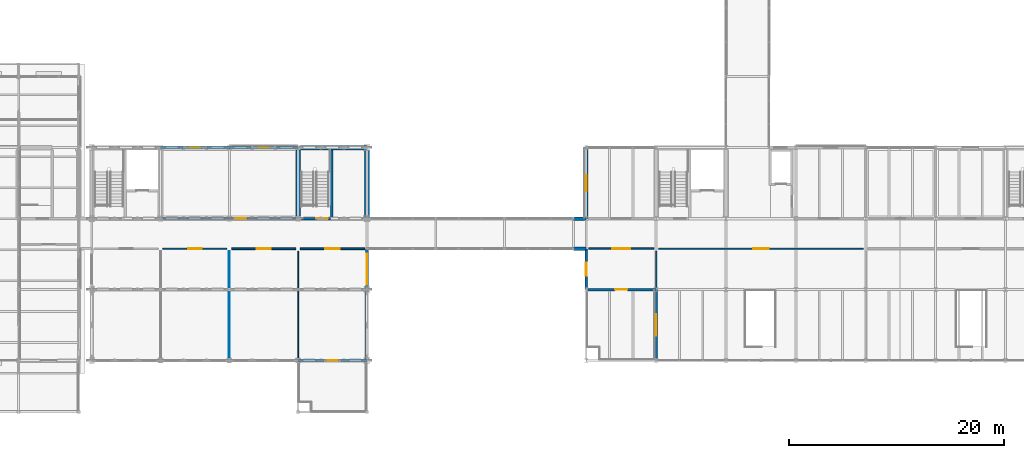
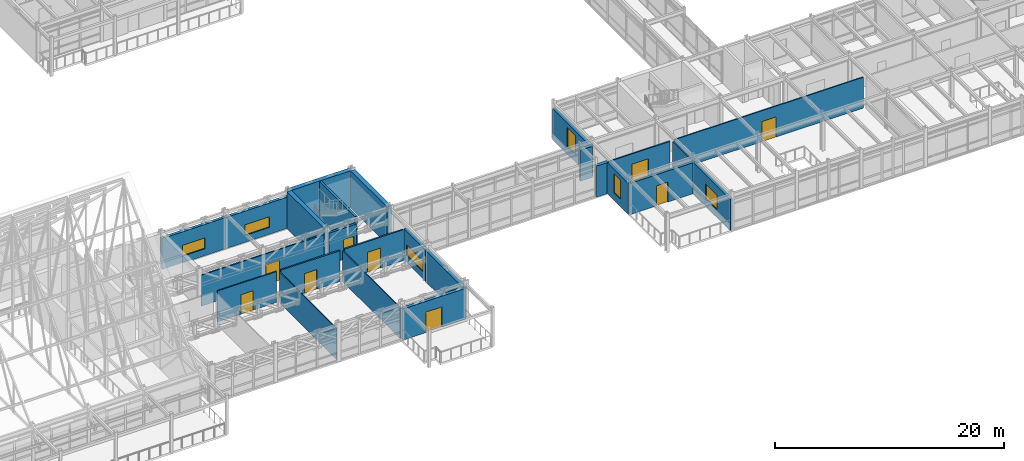
# One storey, part 130 of 144: 25 walls, 9 doors, 6 windows, 15 openings.
"""IFC4 building model written with IfcOpenShell, lengths in metres."""

from ifc_helpers import new_model, si_unit, direction, frame, frame_2d, origin, place, context, subcontext, project, spatial, rectangle, extrude, material, layer, layer_set, type_object, element, fill, save


model = new_model("IFC4")

# Units and contexts
model_context = context("Model", 3, precision=1e-05, world=origin(), true_north=direction((0.0, 1.0)))
body_context = subcontext(model_context, "Body", "Model", "MODEL_VIEW")
ifc_project = project(units=[si_unit("LENGTHUNIT", "METRE"), si_unit("AREAUNIT", "SQUARE_METRE"), si_unit("VOLUMEUNIT", "CUBIC_METRE"), si_unit("PLANEANGLEUNIT", "RADIAN"), si_unit("MASSUNIT", "GRAM", prefix="KILO")], contexts=[model_context])

# Site, building, storey
site_placement = place(None, origin())
site = spatial("IfcSite", under=ifc_project, at=site_placement, CompositionType="ELEMENT")
building_placement = place(site_placement, origin())
building = spatial("IfcBuilding", under=site, at=building_placement, Name="Trelmorton Wharf Fire Station", CompositionType="ELEMENT")
storey_placement = place(building_placement, frame((0.0, 0.0, 5.39990234375)))
storey = spatial("IfcBuildingStorey", under=building, at=storey_placement, Name="L01", CompositionType="ELEMENT", Elevation=5.39990234375)

# Wall, opening, door
ifc_material_1 = material(Name="Precast concrete 45 MPa", Category="concrete")
ifc_layer_1 = layer(ifc_material_1, 0.22998046875)
ifc_layer_set_1 = layer_set([ifc_layer_1], Name="Precast concrete 45 MPa")
wall_type_1 = type_object("IfcWallType", Name="EW_PREC_230", PredefinedType="SOLIDWALL", material=ifc_layer_set_1)
wall_1_placement = place(storey_placement, frame((110.4951171875, 14.39990234375, 0.0), z_axis=(0.0, 0.0, 1.0), x_axis=(-1.0, 0.0, 0.0)))
wall_1 = element("IfcWall", 1, at=wall_1_placement, inside=storey, type_object=wall_type_1, Name="EW-V5-L01-0078", PredefinedType="SOLIDWALL", context=body_context, shape_type="SweptSolid", body=[
    extrude(rectangle(XDim=6.490234375, YDim=0.22998046875, at=frame_2d((3.2451171875, 0.0))), origin(), (0.0, 0.0, 1.0), 3.320068359375),
])
opening_1_placement = place(wall_1_placement, frame((2.675048828125, 0.0, 0.0)))
opening_1 = element("IfcOpeningElement", 2, at=opening_1_placement, cuts=wall_1, Name="Opening TD-015", PredefinedType="OPENING", context=body_context, shape_type="SweptSolid", body=[
    extrude(rectangle(XDim=1.139892578125, YDim=2.139892578125, at=frame_2d((0.56982421875, 1.06982421875))), frame((0.0, 0.125, 0.0), z_axis=(0.0, -1.0, 0.0), x_axis=(1.0, 0.0, 0.0)), (0.0, 0.0, 1.0), 0.25),
])
ifc_material_2 = material(Name="Anodised aluminium AW-6063", Category="aluminium")
door_type_1 = type_object("IfcDoorType", Name="DR_TER_SGL_114", OperationType="NOTDEFINED", PredefinedType="DOOR", material=ifc_material_2)
door_1_placement = place(opening_1_placement, origin())
door_1 = element("IfcDoor", 3, at=door_1_placement, inside=storey, type_object=door_type_1, Name="Terrace Door TD-015", OperationType="SINGLE_SWING_LEFT", OverallHeight=2.139892578125, OverallWidth=1.139892578125, PredefinedType="DOOR", context=body_context, shape_type="SweptSolid", body=[
    extrude(rectangle(XDim=1.139892578125, YDim=2.139892578125, at=frame_2d((0.56982421875, 1.06982421875))), frame((0.0, 0.02490234375, 0.0), z_axis=(0.0, -1.0, 0.0), x_axis=(1.0, 0.0, 0.0)), (0.0, 0.0, 1.0), 0.050048828125),
])
fill(opening_1, door_1)

# Wall, opening, window
ifc_layer_2 = layer(ifc_material_1, 0.25)
ifc_layer_set_2 = layer_set([ifc_layer_2], Name="Precast concrete 45 MPa")
wall_type_2 = type_object("IfcWallType", Name="EW_PREC_250", PredefinedType="SOLIDWALL", material=ifc_layer_set_2)
wall_2_placement = place(storey_placement, frame((110.5, 7.804931640625, 0.0), z_axis=(0.0, 0.0, 1.0), x_axis=(0.0, 1.0, 0.0)))
wall_2 = element("IfcWall", 4, at=wall_2_placement, inside=storey, type_object=wall_type_2, Name="EW-V5-L01-0079", PredefinedType="SOLIDWALL", context=body_context, shape_type="SweptSolid", body=[
    extrude(rectangle(XDim=6.590087890625, YDim=0.25, at=frame_2d((3.294921875, 0.0))), origin(), (0.0, 0.0, 1.0), 3.320068359375),
])
opening_2_placement = place(wall_2_placement, frame((2.294921875, 0.0, 0.800048828125)))
opening_2 = element("IfcOpeningElement", 5, at=opening_2_placement, cuts=wall_2, Name="Opening W42", PredefinedType="OPENING", context=body_context, shape_type="SweptSolid", body=[
    extrude(rectangle(XDim=2.0, YDim=1.550048828125, at=frame_2d((1.0, 0.77490234375))), frame((0.0, 0.135009765625, 0.0), z_axis=(0.0, -1.0, 0.0), x_axis=(1.0, 0.0, 0.0)), (0.0, 0.0, 1.0), 0.27001953125),
])
ifc_material_3 = material(Name="Tempered low-E double glazing", Category="glass")
window_type_1 = type_object("IfcWindowType", Name="WIN_W42", PartitioningType="DOUBLE_PANEL_VERTICAL", PredefinedType="WINDOW", material=ifc_material_3)
window_1_placement = place(opening_2_placement, origin())
window_1 = element("IfcWindow", 6, at=window_1_placement, inside=storey, type_object=window_type_1, Name="WN-V5-L01-0031", OverallHeight=1.550048828125, OverallWidth=2.0, PartitioningType="DOUBLE_PANEL_VERTICAL", PredefinedType="WINDOW", context=body_context, shape_type="SweptSolid", body=[
    extrude(rectangle(XDim=2.0, YDim=1.550048828125, at=frame_2d((1.0, 0.77490234375))), frame((0.0, 0.030029296875, 0.0), z_axis=(0.0, -1.0, 0.0), x_axis=(1.0, 0.0, 0.0)), (0.0, 0.0, 1.0), 0.06005859375),
])
fill(opening_2, window_1)

wall_3_placement = place(storey_placement, frame((104.0, 14.405029296875, 0.0), z_axis=(0.0, 0.0, 1.0), x_axis=(0.0, 1.0, 0.0)))
wall_3 = element("IfcWall", 7, at=wall_3_placement, inside=storey, type_object=wall_type_2, Name="EW-V5-L01-0085", PredefinedType="SOLIDWALL", context=body_context, shape_type="SweptSolid", body=[
    extrude(rectangle(XDim=3.7900390625, YDim=0.25, at=frame_2d((1.89501953125, 0.0))), origin(), (0.0, 0.0, 1.0), 3.320068359375),
])
opening_3_placement = place(wall_3_placement, frame((1.294921875, 0.0, 0.800048828125)))
opening_3 = element("IfcOpeningElement", 8, at=opening_3_placement, cuts=wall_3, Name="Opening W21", PredefinedType="OPENING", context=body_context, shape_type="SweptSolid", body=[
    extrude(rectangle(XDim=1.199951171875, YDim=2.050048828125, at=frame_2d((0.60009765625, 1.02490234375))), frame((0.0, 0.135009765625, 0.0), z_axis=(0.0, -1.0, 0.0), x_axis=(1.0, 0.0, 0.0)), (0.0, 0.0, 1.0), 0.27001953125),
])
window_type_2 = type_object("IfcWindowType", Name="WIN_W21", PartitioningType="SINGLE_PANEL", PredefinedType="WINDOW", material=ifc_material_3)
window_2_placement = place(opening_3_placement, origin())
window_2 = element("IfcWindow", 9, at=window_2_placement, inside=storey, type_object=window_type_2, Name="WN-V5-L01-0036", OverallHeight=2.050048828125, OverallWidth=1.199951171875, PartitioningType="SINGLE_PANEL", PredefinedType="WINDOW", context=body_context, shape_type="SweptSolid", body=[
    extrude(rectangle(XDim=1.199951171875, YDim=2.050048828125, at=frame_2d((0.60009765625, 1.02490234375))), frame((0.0, 0.030029296875, 0.0), z_axis=(0.0, -1.0, 0.0), x_axis=(1.0, 0.0, 0.0)), (0.0, 0.0, 1.0), 0.06005859375),
])
fill(opening_3, window_2)

ifc_layer_3 = layer(ifc_material_1, 0.27001953125)
ifc_layer_set_3 = layer_set([ifc_layer_3], Name="Precast concrete 45 MPa")
wall_type_3 = type_object("IfcWallType", Name="EW_PREC_270", PredefinedType="SOLIDWALL", material=ifc_layer_set_3)
wall_4_placement = place(storey_placement, frame((64.405029296875, 27.60009765625, 0.0), z_axis=(0.0, 0.0, 1.0), x_axis=(1.0, 0.0, 0.0)))
wall_4 = element("IfcWall", 10, at=wall_4_placement, inside=storey, type_object=wall_type_3, Name="EW-V3-L01-0044", PredefinedType="SOLIDWALL", context=body_context, shape_type="SweptSolid", body=[
    extrude(rectangle(XDim=6.389892578125, YDim=0.27001953125, at=frame_2d((3.19482421875, 0.0))), origin(), (0.0, 0.0, 1.0), 3.320068359375),
])
opening_4_placement = place(wall_4_placement, frame((2.044921875, 0.0, 0.719970703125)))
opening_4 = element("IfcOpeningElement", 11, at=opening_4_placement, cuts=wall_4, Name="Opening W25", PredefinedType="OPENING", context=body_context, shape_type="SweptSolid", body=[
    extrude(rectangle(XDim=2.300048828125, YDim=1.14990234375, at=frame_2d((1.14990234375, 0.574951171875))), frame((0.0, 0.14501953125, 0.0), z_axis=(0.0, -1.0, 0.0), x_axis=(1.0, 0.0, 0.0)), (0.0, 0.0, 1.0), 0.2900390625),
])
window_type_3 = type_object("IfcWindowType", Name="WIN_W25", PartitioningType="DOUBLE_PANEL_VERTICAL", PredefinedType="WINDOW", material=ifc_material_3)
window_3_placement = place(opening_4_placement, origin())
window_3 = element("IfcWindow", 12, at=window_3_placement, inside=storey, type_object=window_type_3, Name="WN-V3-L01-0014", OverallHeight=1.14990234375, OverallWidth=2.300048828125, PartitioningType="DOUBLE_PANEL_VERTICAL", PredefinedType="WINDOW", context=body_context, shape_type="SweptSolid", body=[
    extrude(rectangle(XDim=2.300048828125, YDim=1.14990234375, at=frame_2d((1.14990234375, 0.574951171875))), frame((0.0, 0.030029296875, 0.0), z_axis=(0.0, -1.0, 0.0), x_axis=(1.0, 0.0, 0.0)), (0.0, 0.0, 1.0), 0.06005859375),
])
fill(opening_4, window_3)

wall_5_placement = place(storey_placement, frame((83.60009765625, 18.195068359375, 0.0), z_axis=(0.0, 0.0, 1.0), x_axis=(0.0, -1.0, 0.0)))
wall_5 = element("IfcWall", 13, at=wall_5_placement, inside=storey, type_object=wall_type_3, Name="EW-V3-L01-0050", PredefinedType="SOLIDWALL", context=body_context, shape_type="SweptSolid", body=[
    extrude(rectangle(XDim=3.7900390625, YDim=0.27001953125, at=frame_2d((1.89501953125, 0.0))), origin(), (0.0, 0.0, 1.0), 3.320068359375),
])
opening_5_placement = place(wall_5_placement, frame((0.445068359375, 0.0, 0.719970703125)))
opening_5 = element("IfcOpeningElement", 14, at=opening_5_placement, cuts=wall_5, Name="Opening W28", PredefinedType="OPENING", context=body_context, shape_type="SweptSolid", body=[
    extrude(rectangle(XDim=2.89990234375, YDim=1.14990234375, at=frame_2d((1.449951171875, 0.574951171875))), frame((0.0, 0.14501953125, 0.0), z_axis=(0.0, -1.0, 0.0), x_axis=(1.0, 0.0, 0.0)), (0.0, 0.0, 1.0), 0.2900390625),
])
window_type_4 = type_object("IfcWindowType", Name="WIN_W28", PartitioningType="TRIPLE_PANEL_VERTICAL", PredefinedType="WINDOW", material=ifc_material_3)
window_4_placement = place(opening_5_placement, origin())
window_4 = element("IfcWindow", 15, at=window_4_placement, inside=storey, type_object=window_type_4, Name="WN-V3-L01-0017", OverallHeight=1.14990234375, OverallWidth=2.89990234375, PartitioningType="TRIPLE_PANEL_VERTICAL", PredefinedType="WINDOW", context=body_context, shape_type="SweptSolid", body=[
    extrude(rectangle(XDim=2.89990234375, YDim=1.14990234375, at=frame_2d((1.449951171875, 0.574951171875))), frame((0.0, 0.030029296875, 0.0), z_axis=(0.0, -1.0, 0.0), x_axis=(1.0, 0.0, 0.0)), (0.0, 0.0, 1.0), 0.06005859375),
])
fill(opening_5, window_4)

ifc_layer_4 = layer(ifc_material_1, 0.2900390625)
ifc_layer_set_4 = layer_set([ifc_layer_4], Name="Precast concrete 45 MPa")
wall_type_4 = type_object("IfcWallType", Name="EW_TERR_290", PredefinedType="SOLIDWALL", material=ifc_layer_set_4)
wall_6_placement = place(storey_placement, frame((70.804931640625, 27.60009765625, 0.0), z_axis=(0.0, 0.0, 1.0), x_axis=(1.0, 0.0, 0.0)))
wall_6 = element("IfcWall", 16, at=wall_6_placement, inside=storey, type_object=wall_type_4, Name="EW-V3-L01-0045", PredefinedType="SOLIDWALL", context=body_context, shape_type="SweptSolid", body=[
    extrude(rectangle(XDim=6.39013671875, YDim=0.2900390625, at=frame_2d((3.195068359375, 0.0))), origin(), (0.0, 0.0, 1.0), 3.320068359375),
])
opening_6_placement = place(wall_6_placement, frame((1.945068359375, 0.0, 0.719970703125)))
opening_6 = element("IfcOpeningElement", 17, at=opening_6_placement, cuts=wall_6, Name="Opening W26", PredefinedType="OPENING", context=body_context, shape_type="SweptSolid", body=[
    extrude(rectangle(XDim=2.5, YDim=1.14990234375, at=frame_2d((1.25, 0.574951171875))), frame((0.0, 0.155029296875, 0.0), z_axis=(0.0, -1.0, 0.0), x_axis=(1.0, 0.0, 0.0)), (0.0, 0.0, 1.0), 0.31005859375),
])
window_type_5 = type_object("IfcWindowType", Name="WIN_W26", PartitioningType="TRIPLE_PANEL_VERTICAL", PredefinedType="WINDOW", material=ifc_material_3)
window_5_placement = place(opening_6_placement, origin())
window_5 = element("IfcWindow", 18, at=window_5_placement, inside=storey, type_object=window_type_5, Name="WN-V3-L01-0015", OverallHeight=1.14990234375, OverallWidth=2.5, PartitioningType="TRIPLE_PANEL_VERTICAL", PredefinedType="WINDOW", context=body_context, shape_type="SweptSolid", body=[
    extrude(rectangle(XDim=2.5, YDim=1.14990234375, at=frame_2d((1.25, 0.574951171875))), frame((0.0, 0.030029296875, 0.0), z_axis=(0.0, -1.0, 0.0), x_axis=(1.0, 0.0, 0.0)), (0.0, 0.0, 1.0), 0.06005859375),
])
fill(opening_6, window_5)

wall_7_placement = place(storey_placement, frame((104.0, 21.0048828125, 0.0), z_axis=(0.0, 0.0, 1.0), x_axis=(0.0, 1.0, 0.0)))
wall_7 = element("IfcWall", 19, at=wall_7_placement, inside=storey, type_object=wall_type_4, Name="EW-V5-L01-0087", PredefinedType="SOLIDWALL", context=body_context, shape_type="SweptSolid", body=[
    extrude(rectangle(XDim=6.590087890625, YDim=0.2900390625, at=frame_2d((3.294921875, 0.0))), origin(), (0.0, 0.0, 1.0), 3.320068359375),
])
opening_7_placement = place(wall_7_placement, frame((2.544921875, 0.0, 0.800048828125)))
opening_7 = element("IfcOpeningElement", 20, at=opening_7_placement, cuts=wall_7, Name="Opening W23", PredefinedType="OPENING", context=body_context, shape_type="SweptSolid", body=[
    extrude(rectangle(XDim=1.5, YDim=2.050048828125, at=frame_2d((0.75, 1.02490234375))), frame((0.0, 0.155029296875, 0.0), z_axis=(0.0, -1.0, 0.0), x_axis=(1.0, 0.0, 0.0)), (0.0, 0.0, 1.0), 0.31005859375),
])
window_type_6 = type_object("IfcWindowType", Name="WIN_W23", PartitioningType="SINGLE_PANEL", PredefinedType="WINDOW", material=ifc_material_3)
window_6_placement = place(opening_7_placement, origin())
window_6 = element("IfcWindow", 21, at=window_6_placement, inside=storey, type_object=window_type_6, Name="WN-V5-L01-0038", OverallHeight=2.050048828125, OverallWidth=1.5, PartitioningType="SINGLE_PANEL", PredefinedType="WINDOW", context=body_context, shape_type="SweptSolid", body=[
    extrude(rectangle(XDim=1.5, YDim=2.050048828125, at=frame_2d((0.75, 1.02490234375))), frame((0.0, 0.030029296875, 0.0), z_axis=(0.0, -1.0, 0.0), x_axis=(1.0, 0.0, 0.0)), (0.0, 0.0, 1.0), 0.06005859375),
])
fill(opening_7, window_6)

# Wall, opening, door
ifc_layer_5 = layer(ifc_material_1, 0.31005859375)
ifc_layer_set_5 = layer_set([ifc_layer_5], Name="Precast concrete 45 MPa")
wall_type_5 = type_object("IfcWallType", Name="EW_TERR_310", PredefinedType="SOLIDWALL", material=ifc_layer_set_5)
wall_8_placement = place(storey_placement, frame((83.594970703125, 7.800048828125, 0.0), z_axis=(0.0, 0.0, 1.0), x_axis=(-1.0, 0.0, 0.0)))
wall_8 = element("IfcWall", 22, at=wall_8_placement, inside=storey, type_object=wall_type_5, Name="EW-V3-L01-0046", PredefinedType="SOLIDWALL", context=body_context, shape_type="SweptSolid", body=[
    extrude(rectangle(XDim=6.389892578125, YDim=0.31005859375, at=frame_2d((3.19482421875, 0.0))), origin(), (0.0, 0.0, 1.0), 3.320068359375),
])
opening_8_placement = place(wall_8_placement, frame((2.385009765625, 0.0, 0.0)))
opening_8 = element("IfcOpeningElement", 23, at=opening_8_placement, cuts=wall_8, Name="Opening TD-009", PredefinedType="OPENING", context=body_context, shape_type="SweptSolid", body=[
    extrude(rectangle(XDim=1.6201171875, YDim=2.179931640625, at=frame_2d((0.81005859375, 1.08984375))), frame((0.0, 0.1650390625, 0.0), z_axis=(0.0, -1.0, 0.0), x_axis=(1.0, 0.0, 0.0)), (0.0, 0.0, 1.0), 0.330078125),
])
door_type_2 = type_object("IfcDoorType", Name="DR_TER_DBL_162", OperationType="DOUBLE_DOOR_SINGLE_SWING", PredefinedType="DOOR", material=ifc_material_2)
door_2_placement = place(opening_8_placement, origin())
door_2 = element("IfcDoor", 24, at=door_2_placement, inside=storey, type_object=door_type_2, Name="Terrace Door TD-009", OperationType="DOUBLE_DOOR_SINGLE_SWING", OverallHeight=2.179931640625, OverallWidth=1.6201171875, PredefinedType="DOOR", context=body_context, shape_type="SweptSolid", body=[
    extrude(rectangle(XDim=1.6201171875, YDim=2.179931640625, at=frame_2d((0.81005859375, 1.08984375))), frame((0.0, 0.02490234375, 0.0), z_axis=(0.0, -1.0, 0.0), x_axis=(1.0, 0.0, 0.0)), (0.0, 0.0, 1.0), 0.050048828125),
])
fill(opening_8, door_2)

# Walls
wall_9_placement = place(storey_placement, frame((103.9951171875, 18.199951171875, 0.0), z_axis=(0.0, 0.0, 1.0), x_axis=(-1.0, 0.0, 0.0)))
element("IfcWall", 25, at=wall_9_placement, inside=storey, type_object=wall_type_5, Name="EW-BR-L01-0250", PredefinedType="SOLIDWALL", context=body_context, shape_type="SweptSolid", body=[
    extrude(rectangle(XDim=1.190185546875, YDim=0.31005859375, at=frame_2d((0.59521484375, 0.0))), origin(), (0.0, 0.0, 1.0), 3.320068359375),
])
ifc_layer_6 = layer(ifc_material_1, 0.330078125)
ifc_layer_set_6 = layer_set([ifc_layer_6], Name="Precast concrete 45 MPa")
wall_type_6 = type_object("IfcWallType", Name="EW_TERR_330", PredefinedType="SOLIDWALL", material=ifc_layer_set_6)
wall_10_placement = place(storey_placement, frame((83.60009765625, 14.39501953125, 0.0), z_axis=(0.0, 0.0, 1.0), x_axis=(0.0, -1.0, 0.0)))
element("IfcWall", 26, at=wall_10_placement, inside=storey, type_object=wall_type_6, Name="EW-V3-L01-0048", PredefinedType="SOLIDWALL", context=body_context, shape_type="SweptSolid", body=[
    extrude(rectangle(XDim=6.590087890625, YDim=0.330078125, at=frame_2d((3.294921875, 0.0))), origin(), (0.0, 0.0, 1.0), 3.320068359375),
])
wall_11_placement = place(storey_placement, frame((102.804931640625, 21.0, 0.0), z_axis=(0.0, 0.0, 1.0), x_axis=(1.0, 0.0, 0.0)))
element("IfcWall", 27, at=wall_11_placement, inside=storey, type_object=wall_type_6, Name="EW-BR-L01-0251", PredefinedType="SOLIDWALL", context=body_context, shape_type="SweptSolid", body=[
    extrude(rectangle(XDim=1.190185546875, YDim=0.330078125, at=frame_2d((0.59521484375, 0.0))), origin(), (0.0, 0.0, 1.0), 3.320068359375),
])

# Wall, opening, door
ifc_material_4 = material(Name="Gypsum plasterboard partition")
ifc_layer_7 = layer(ifc_material_4, 0.14990234375)
ifc_layer_set_7 = layer_set([ifc_layer_7], Name="Gypsum plasterboard partition")
wall_type_7 = type_object("IfcWallType", Name="IW_ACOU_150", PredefinedType="PARTITIONING", material=ifc_layer_set_7)
wall_12_placement = place(storey_placement, frame((77.419921875, 18.199951171875, 0.0), z_axis=(0.0, 0.0, 1.0), x_axis=(1.0, 0.0, 0.0)))
wall_12 = element("IfcWall", 28, at=wall_12_placement, inside=storey, type_object=wall_type_7, Name="IW-L01-0079", PredefinedType="PARTITIONING", context=body_context, shape_type="SweptSolid", body=[
    extrude(rectangle(XDim=5.9599609375, YDim=0.14990234375, at=frame_2d((2.97998046875, 0.0))), origin(), (0.0, 0.0, 1.0), 3.300048828125),
])
opening_9_placement = place(wall_12_placement, frame((2.324951171875, 0.0, 0.0)))
opening_9 = element("IfcOpeningElement", 29, at=opening_9_placement, cuts=wall_12, Name="Opening D-053", PredefinedType="OPENING", context=body_context, shape_type="SweptSolid", body=[
    extrude(rectangle(XDim=1.31005859375, YDim=2.139892578125, at=frame_2d((0.655029296875, 1.06982421875))), frame((0.0, 0.0849609375, 0.0), z_axis=(0.0, -1.0, 0.0), x_axis=(1.0, 0.0, 0.0)), (0.0, 0.0, 1.0), 0.169921875),
])
ifc_material_5 = material(Name="Acoustic timber panelling", Category="wood")
door_type_3 = type_object("IfcDoorType", Name="DR_INT_131", OperationType="NOTDEFINED", PredefinedType="DOOR", material=ifc_material_5)
door_3_placement = place(opening_9_placement, origin())
door_3 = element("IfcDoor", 30, at=door_3_placement, inside=storey, type_object=door_type_3, Name="Interior Door D-053", OperationType="SINGLE_SWING_RIGHT", OverallHeight=2.139892578125, OverallWidth=1.31005859375, PredefinedType="DOOR", context=body_context, shape_type="SweptSolid", body=[
    extrude(rectangle(XDim=1.31005859375, YDim=2.139892578125, at=frame_2d((0.655029296875, 1.06982421875))), frame((0.0, 0.02490234375, 0.0), z_axis=(0.0, -1.0, 0.0), x_axis=(1.0, 0.0, 0.0)), (0.0, 0.0, 1.0), 0.050048828125),
])
fill(opening_9, door_3)

ifc_layer_8 = layer(ifc_material_4, 0.159912109375)
ifc_layer_set_8 = layer_set([ifc_layer_8], Name="Gypsum plasterboard partition")
wall_type_8 = type_object("IfcWallType", Name="IW_ACOU_160", PredefinedType="PARTITIONING", material=ifc_layer_set_8)
wall_13_placement = place(storey_placement, frame((71.02001953125, 18.199951171875, 0.0), z_axis=(0.0, 0.0, 1.0), x_axis=(1.0, 0.0, 0.0)))
wall_13 = element("IfcWall", 31, at=wall_13_placement, inside=storey, type_object=wall_type_8, Name="IW-L01-0078", PredefinedType="PARTITIONING", context=body_context, shape_type="SweptSolid", body=[
    extrude(rectangle(XDim=5.9599609375, YDim=0.159912109375, at=frame_2d((2.97998046875, 0.0))), origin(), (0.0, 0.0, 1.0), 3.300048828125),
])
opening_10_placement = place(wall_13_placement, frame((2.344970703125, 0.0, 0.0)))
opening_10 = element("IfcOpeningElement", 32, at=opening_10_placement, cuts=wall_13, Name="Opening D-052", PredefinedType="OPENING", context=body_context, shape_type="SweptSolid", body=[
    extrude(rectangle(XDim=1.27001953125, YDim=2.10009765625, at=frame_2d((0.635009765625, 1.050048828125))), frame((0.0, 0.08984375, 0.0), z_axis=(0.0, -1.0, 0.0), x_axis=(1.0, 0.0, 0.0)), (0.0, 0.0, 1.0), 0.179931640625),
])
door_type_4 = type_object("IfcDoorType", Name="DR_INT_127", OperationType="NOTDEFINED", PredefinedType="DOOR", material=ifc_material_5)
door_4_placement = place(opening_10_placement, origin())
door_4 = element("IfcDoor", 33, at=door_4_placement, inside=storey, type_object=door_type_4, Name="Interior Door D-052", OperationType="SINGLE_SWING_LEFT", OverallHeight=2.10009765625, OverallWidth=1.27001953125, PredefinedType="DOOR", context=body_context, shape_type="SweptSolid", body=[
    extrude(rectangle(XDim=1.27001953125, YDim=2.10009765625, at=frame_2d((0.635009765625, 1.050048828125))), frame((0.0, 0.02490234375, 0.0), z_axis=(0.0, -1.0, 0.0), x_axis=(1.0, 0.0, 0.0)), (0.0, 0.0, 1.0), 0.050048828125),
])
fill(opening_10, door_4)

# Wall
ifc_material_6 = material(Name="Concrete 40 MPa", Category="concrete")
ifc_layer_9 = layer(ifc_material_6, 0.219970703125)
ifc_layer_set_9 = layer_set([ifc_layer_9], Name="Concrete 40 MPa")
wall_type_9 = type_object("IfcWallType", Name="IW_CORE_220", PredefinedType="SOLIDWALL", material=ifc_layer_set_9)
wall_14_placement = place(storey_placement, frame((80.320068359375, 21.1201171875, 0.0), z_axis=(0.0, 0.0, 1.0), x_axis=(0.0, 1.0, 0.0)))
element("IfcWall", 34, at=wall_14_placement, inside=storey, type_object=wall_type_9, Name="IW-C2B-DIV-L01", PredefinedType="SOLIDWALL", context=body_context, shape_type="SweptSolid", body=[
    extrude(rectangle(XDim=6.2548828125, YDim=0.219970703125, at=frame_2d((3.12744140625, 0.0))), origin(), (0.0, 0.0, 1.0), 3.960205078125),
])

# Wall, opening, door
wall_15_placement = place(storey_placement, frame((77.4599609375, 21.0, 0.0), z_axis=(0.0, 0.0, 1.0), x_axis=(1.0, 0.0, 0.0)))
wall_15 = element("IfcWall", 35, at=wall_15_placement, inside=storey, type_object=wall_type_9, Name="IW-C2B-SF-L01", PredefinedType="SOLIDWALL", context=body_context, shape_type="SweptSolid", body=[
    extrude(rectangle(XDim=2.739990234375, YDim=0.219970703125, at=frame_2d((1.3701171875, 0.0))), origin(), (0.0, 0.0, 1.0), 3.320068359375),
])
opening_11_placement = place(wall_15_placement, frame((1.43994140625, 0.0, 0.0)))
opening_11 = element("IfcOpeningElement", 36, at=opening_11_placement, cuts=wall_15, Name="Opening FD-008", PredefinedType="OPENING", context=body_context, shape_type="SweptSolid", body=[
    extrude(rectangle(XDim=1.06005859375, YDim=2.10009765625, at=frame_2d((0.530029296875, 1.050048828125))), frame((0.0, 0.1201171875, 0.0), z_axis=(0.0, -1.0, 0.0), x_axis=(1.0, 0.0, 0.0)), (0.0, 0.0, 1.0), 0.239990234375),
])
ifc_material_7 = material(Name="Stainless steel 316 marine grade", Category="steel")
door_type_5 = type_object("IfcDoorType", Name="DR_FIRE_106", OperationType="NOTDEFINED", PredefinedType="DOOR", material=ifc_material_7)
door_5_placement = place(opening_11_placement, origin())
door_5 = element("IfcDoor", 37, at=door_5_placement, inside=storey, type_object=door_type_5, Name="Stair Fire Door FD-008", OperationType="SINGLE_SWING_RIGHT", OverallHeight=2.10009765625, OverallWidth=1.06005859375, PredefinedType="DOOR", context=body_context, shape_type="SweptSolid", body=[
    extrude(rectangle(XDim=1.06005859375, YDim=2.10009765625, at=frame_2d((0.530029296875, 1.050048828125))), frame((0.0, 0.02490234375, 0.0), z_axis=(0.0, -1.0, 0.0), x_axis=(1.0, 0.0, 0.0)), (0.0, 0.0, 1.0), 0.050048828125),
])
fill(opening_11, door_5)

# Walls
ifc_layer_10 = layer(ifc_material_5, 0.090087890625)
ifc_layer_set_10 = layer_set([ifc_layer_10], Name="Acoustic timber panelling")
wall_type_10 = type_object("IfcWallType", Name="IW_MOVE_090", PredefinedType="MOVABLE", material=ifc_layer_set_10)
wall_16_placement = place(storey_placement, frame((70.800048828125, 8.02001953125, 0.0), z_axis=(0.0, 0.0, 1.0), x_axis=(0.0, 1.0, 0.0)))
element("IfcWall", 38, at=wall_16_placement, inside=storey, type_object=wall_type_10, Name="IW-L01-0075", PredefinedType="MOVABLE", context=body_context, shape_type="SweptSolid", body=[
    extrude(rectangle(XDim=9.9599609375, YDim=0.090087890625, at=frame_2d((4.97998046875, 0.0))), origin(), (0.0, 0.0, 1.0), 3.300048828125),
])
ifc_layer_11 = layer(ifc_material_4, 0.10009765625)
ifc_layer_set_11 = layer_set([ifc_layer_11], Name="Gypsum plasterboard partition")
wall_type_11 = type_object("IfcWallType", Name="IW_PART_100", PredefinedType="PARTITIONING", material=ifc_layer_set_11)
wall_17_placement = place(storey_placement, frame((77.199951171875, 8.02001953125, 0.0), z_axis=(0.0, 0.0, 1.0), x_axis=(0.0, 1.0, 0.0)))
element("IfcWall", 39, at=wall_17_placement, inside=storey, type_object=wall_type_11, Name="IW-L01-0077", PredefinedType="PARTITIONING", context=body_context, shape_type="SweptSolid", body=[
    extrude(rectangle(XDim=9.9599609375, YDim=0.10009765625, at=frame_2d((4.97998046875, 0.0))), origin(), (0.0, 0.0, 1.0), 3.300048828125),
])

# Wall, opening, door
ifc_layer_12 = layer(ifc_material_4, 0.110107421875)
ifc_layer_set_12 = layer_set([ifc_layer_12], Name="Gypsum plasterboard partition")
wall_type_12 = type_object("IfcWallType", Name="IW_PART_110", PredefinedType="PARTITIONING", material=ifc_layer_set_12)
wall_18_placement = place(storey_placement, frame((64.6201171875, 18.199951171875, 0.0), z_axis=(0.0, 0.0, 1.0), x_axis=(1.0, 0.0, 0.0)))
wall_18 = element("IfcWall", 40, at=wall_18_placement, inside=storey, type_object=wall_type_12, Name="IW-L01-0076", PredefinedType="PARTITIONING", context=body_context, shape_type="SweptSolid", body=[
    extrude(rectangle(XDim=5.9599609375, YDim=0.110107421875, at=frame_2d((2.97998046875, 0.0))), origin(), (0.0, 0.0, 1.0), 3.300048828125),
])
opening_12_placement = place(wall_18_placement, frame((2.364990234375, 0.0, 0.0)))
opening_12 = element("IfcOpeningElement", 41, at=opening_12_placement, cuts=wall_18, Name="Opening D-051", PredefinedType="OPENING", context=body_context, shape_type="SweptSolid", body=[
    extrude(rectangle(XDim=1.22998046875, YDim=2.080078125, at=frame_2d((0.614990234375, 1.0400390625))), frame((0.0, 0.06494140625, 0.0), z_axis=(0.0, -1.0, 0.0), x_axis=(1.0, 0.0, 0.0)), (0.0, 0.0, 1.0), 0.130126953125),
])
door_type_6 = type_object("IfcDoorType", Name="DR_INT_123", OperationType="NOTDEFINED", PredefinedType="DOOR", material=ifc_material_5)
door_6_placement = place(opening_12_placement, origin())
door_6 = element("IfcDoor", 42, at=door_6_placement, inside=storey, type_object=door_type_6, Name="Interior Door D-051", OperationType="SINGLE_SWING_RIGHT", OverallHeight=2.080078125, OverallWidth=1.22998046875, PredefinedType="DOOR", context=body_context, shape_type="SweptSolid", body=[
    extrude(rectangle(XDim=1.22998046875, YDim=2.080078125, at=frame_2d((0.614990234375, 1.0400390625))), frame((0.0, 0.02490234375, 0.0), z_axis=(0.0, -1.0, 0.0), x_axis=(1.0, 0.0, 0.0)), (0.0, 0.0, 1.0), 0.050048828125),
])
fill(opening_12, door_6)

wall_19_placement = place(storey_placement, frame((110.719970703125, 18.199951171875, 0.0), z_axis=(0.0, 0.0, 1.0), x_axis=(1.0, 0.0, 0.0)))
wall_19 = element("IfcWall", 43, at=wall_19_placement, inside=storey, type_object=wall_type_12, Name="IW-L01-0083", PredefinedType="PARTITIONING", context=body_context, shape_type="SweptSolid", body=[
    extrude(rectangle(XDim=19.06005859375, YDim=0.110107421875, at=frame_2d((9.530029296875, 0.0))), origin(), (0.0, 0.0, 1.0), 3.300048828125),
])
opening_13_placement = place(wall_19_placement, frame((8.820068359375, 0.0, 0.0)))
opening_13 = element("IfcOpeningElement", 44, at=opening_13_placement, cuts=wall_19, Name="Opening D-055", PredefinedType="OPENING", context=body_context, shape_type="SweptSolid", body=[
    extrude(rectangle(XDim=1.419921875, YDim=2.14990234375, at=frame_2d((0.7099609375, 1.074951171875))), frame((0.0, 0.06494140625, 0.0), z_axis=(0.0, -1.0, 0.0), x_axis=(1.0, 0.0, 0.0)), (0.0, 0.0, 1.0), 0.130126953125),
])
door_type_7 = type_object("IfcDoorType", Name="DR_INT_142", OperationType="DOUBLE_DOOR_SINGLE_SWING", PredefinedType="DOOR", material=ifc_material_5)
door_7_placement = place(opening_13_placement, origin())
door_7 = element("IfcDoor", 45, at=door_7_placement, inside=storey, type_object=door_type_7, Name="Interior Door D-055", OperationType="DOUBLE_DOOR_SINGLE_SWING", OverallHeight=2.14990234375, OverallWidth=1.419921875, PredefinedType="DOOR", context=body_context, shape_type="SweptSolid", body=[
    extrude(rectangle(XDim=1.419921875, YDim=2.14990234375, at=frame_2d((0.7099609375, 1.074951171875))), frame((0.0, 0.02490234375, 0.0), z_axis=(0.0, -1.0, 0.0), x_axis=(1.0, 0.0, 0.0)), (0.0, 0.0, 1.0), 0.050048828125),
])
fill(opening_13, door_7)

ifc_layer_13 = layer(ifc_material_4, 0.139892578125)
ifc_layer_set_13 = layer_set([ifc_layer_13], Name="Gypsum plasterboard partition")
wall_type_13 = type_object("IfcWallType", Name="IW_PART_140", PredefinedType="PARTITIONING", material=ifc_layer_set_13)
wall_20_placement = place(storey_placement, frame((64.6201171875, 21.0, 0.0), z_axis=(0.0, 0.0, 1.0), x_axis=(1.0, 0.0, 0.0)))
wall_20 = element("IfcWall", 46, at=wall_20_placement, inside=storey, type_object=wall_type_13, Name="IW-L01-0080", PredefinedType="PARTITIONING", context=body_context, shape_type="SweptSolid", body=[
    extrude(rectangle(XDim=12.35986328125, YDim=0.139892578125, at=frame_2d((6.179931640625, 0.0))), origin(), (0.0, 0.0, 1.0), 3.300048828125),
])
opening_14_placement = place(wall_20_placement, frame((6.5, 0.0, 0.0)))
opening_14 = element("IfcOpeningElement", 47, at=opening_14_placement, cuts=wall_20, Name="Opening D-054", PredefinedType="OPENING", context=body_context, shape_type="SweptSolid", body=[
    extrude(rectangle(XDim=1.360107421875, YDim=2.14990234375, at=frame_2d((0.68017578125, 1.074951171875))), frame((0.0, 0.080078125, 0.0), z_axis=(0.0, -1.0, 0.0), x_axis=(1.0, 0.0, 0.0)), (0.0, 0.0, 1.0), 0.159912109375),
])
door_type_8 = type_object("IfcDoorType", Name="DR_INT_136", OperationType="DOUBLE_DOOR_SINGLE_SWING", PredefinedType="DOOR", material=ifc_material_5)
door_8_placement = place(opening_14_placement, origin())
door_8 = element("IfcDoor", 48, at=door_8_placement, inside=storey, type_object=door_type_8, Name="Interior Door D-054", OperationType="DOUBLE_DOOR_SINGLE_SWING", OverallHeight=2.14990234375, OverallWidth=1.360107421875, PredefinedType="DOOR", context=body_context, shape_type="SweptSolid", body=[
    extrude(rectangle(XDim=1.360107421875, YDim=2.14990234375, at=frame_2d((0.68017578125, 1.074951171875))), frame((0.0, 0.02490234375, 0.0), z_axis=(0.0, -1.0, 0.0), x_axis=(1.0, 0.0, 0.0)), (0.0, 0.0, 1.0), 0.050048828125),
])
fill(opening_14, door_8)

wall_21_placement = place(storey_placement, frame((104.219970703125, 18.199951171875, 0.0), z_axis=(0.0, 0.0, 1.0), x_axis=(1.0, 0.0, 0.0)))
wall_21 = element("IfcWall", 49, at=wall_21_placement, inside=storey, type_object=wall_type_13, Name="IW-L01-0087", PredefinedType="PARTITIONING", context=body_context, shape_type="SweptSolid", body=[
    extrude(rectangle(XDim=6.06005859375, YDim=0.139892578125, at=frame_2d((3.030029296875, 0.0))), origin(), (0.0, 0.0, 1.0), 3.300048828125),
])
opening_15_placement = place(wall_21_placement, frame((2.2099609375, 0.0, 0.0)))
opening_15 = element("IfcOpeningElement", 50, at=opening_15_placement, cuts=wall_21, Name="Opening D-058", PredefinedType="OPENING", context=body_context, shape_type="SweptSolid", body=[
    extrude(rectangle(XDim=1.639892578125, YDim=2.199951171875, at=frame_2d((0.81982421875, 1.10009765625))), frame((0.0, 0.080078125, 0.0), z_axis=(0.0, -1.0, 0.0), x_axis=(1.0, 0.0, 0.0)), (0.0, 0.0, 1.0), 0.159912109375),
])
door_type_9 = type_object("IfcDoorType", Name="DR_INT_164", OperationType="DOUBLE_DOOR_SINGLE_SWING", PredefinedType="DOOR", material=ifc_material_5)
door_9_placement = place(opening_15_placement, origin())
door_9 = element("IfcDoor", 51, at=door_9_placement, inside=storey, type_object=door_type_9, Name="Interior Door D-058", OperationType="DOUBLE_DOOR_SINGLE_SWING", OverallHeight=2.199951171875, OverallWidth=1.639892578125, PredefinedType="DOOR", context=body_context, shape_type="SweptSolid", body=[
    extrude(rectangle(XDim=1.639892578125, YDim=2.199951171875, at=frame_2d((0.81982421875, 1.10009765625))), frame((0.0, 0.02490234375, 0.0), z_axis=(0.0, -1.0, 0.0), x_axis=(1.0, 0.0, 0.0)), (0.0, 0.0, 1.0), 0.050048828125),
])
fill(opening_15, door_9)

# Walls
ifc_layer_14 = layer(ifc_material_4, 0.1201171875)
ifc_layer_set_14 = layer_set([ifc_layer_14], Name="Gypsum plasterboard partition")
wall_type_14 = type_object("IfcWallType", Name="IW_WET_120", PredefinedType="PARTITIONING", material=ifc_layer_set_14)
wall_22_placement = place(storey_placement, frame((110.5, 14.6201171875, 0.0), z_axis=(0.0, 0.0, 1.0), x_axis=(0.0, 1.0, 0.0)))
element("IfcWall", 52, at=wall_22_placement, inside=storey, type_object=wall_type_14, Name="IW-L01-0082", PredefinedType="PARTITIONING", context=body_context, shape_type="SweptSolid", body=[
    extrude(rectangle(XDim=3.35986328125, YDim=0.1201171875, at=frame_2d((1.679931640625, 0.0))), origin(), (0.0, 0.0, 1.0), 3.300048828125),
])
ifc_material_8 = material(Name="Concrete 50 MPa", Category="concrete")
ifc_layer_15 = layer(ifc_material_8, 0.43994140625)
ifc_layer_set_15 = layer_set([ifc_layer_15], Name="Concrete 50 MPa")
wall_type_15 = type_object("IfcWallType", Name="WL_CORE_440", PredefinedType="SHEAR", material=ifc_layer_set_15)
wall_23_placement = place(storey_placement, frame((77.199951171875, 27.60009765625, 0.0), z_axis=(0.0, 0.0, 1.0), x_axis=(1.0, 0.0, 0.0)))
element("IfcWall", 53, at=wall_23_placement, inside=storey, type_object=wall_type_15, Name="WL-SW-C2B-L01-022", PredefinedType="SHEAR", context=body_context, shape_type="SweptSolid", body=[
    extrude(rectangle(XDim=6.400146484375, YDim=0.43994140625, at=frame_2d((3.2001953125, 0.0))), origin(), (0.0, 0.0, 1.0), 3.960205078125),
])
for number, where, z_axis, x_axis, name in (
    (54, (77.199951171875, 21.0, 0.0), (0.0, 0.0, 1.0), (0.0, 1.0, 0.0), "WL-SW-C2B-L01-023"),
    (55, (83.60009765625, 21.0, 0.0), (0.0, 0.0, 1.0), (0.0, 1.0, 0.0), "WL-SW-C2B-L01-024"),
):
    element("IfcWall", number, at=place(storey_placement, frame(where, z_axis=z_axis, x_axis=x_axis)), inside=storey, type_object=wall_type_15, Name=name, PredefinedType="SHEAR", context=body_context, shape_type="SweptSolid", body=[
        extrude(rectangle(XDim=6.3798828125, YDim=0.43994140625, at=frame_2d((3.18994140625, 0.0))), origin(), (0.0, 0.0, 1.0), 3.960205078125),
    ])

save(model, "model.ifc")
